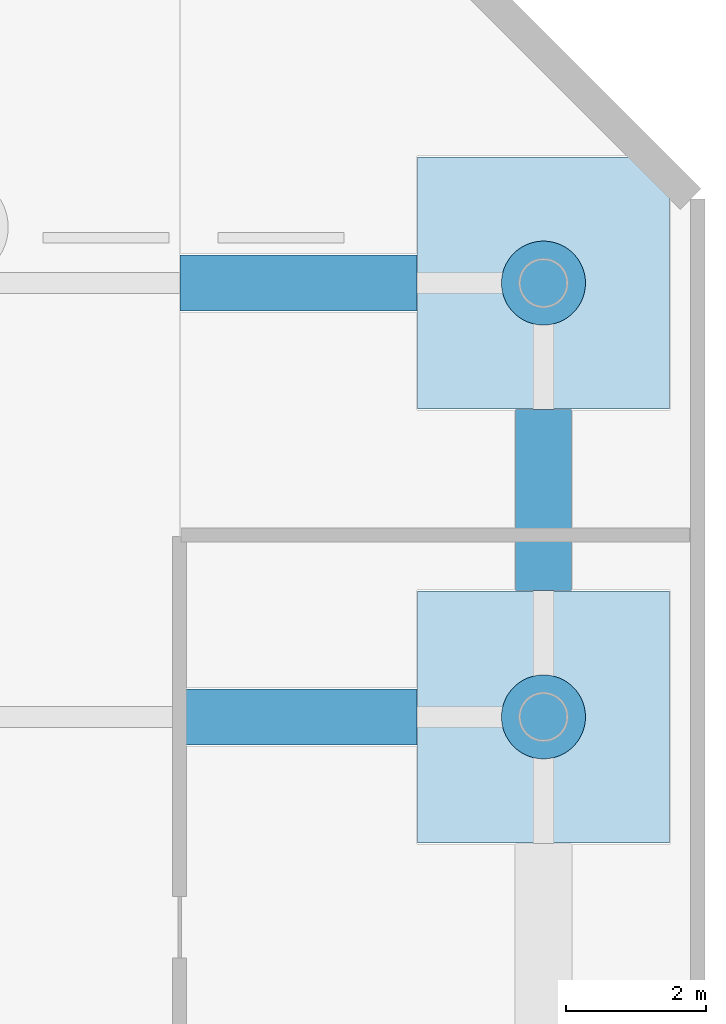
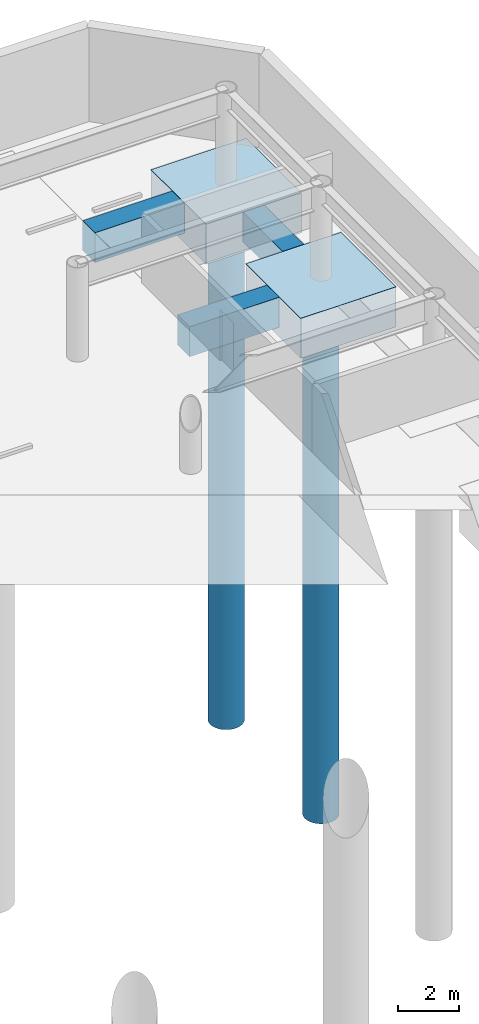
# One storey, part 2 of 19: 5 footings, 2 piles.
"""IFC4 building model written with IfcOpenShell, lengths in metres."""

from ifc_helpers import new_model, si_unit, direction, frame, origin, origin_2d, place, context, subcontext, project, spatial, rectangle, circle, extrude, material, material_profile, profile_set, type_object, element, save


model = new_model("IFC4")

# Units and contexts
model_context = context("Model", 3, precision=1e-05, world=origin(), true_north=direction((0.0, 1.0)))
body_context = subcontext(model_context, "Body", "Model", "MODEL_VIEW")
ifc_project = project(units=[si_unit("LENGTHUNIT", "METRE"), si_unit("AREAUNIT", "SQUARE_METRE"), si_unit("VOLUMEUNIT", "CUBIC_METRE"), si_unit("PLANEANGLEUNIT", "RADIAN"), si_unit("MASSUNIT", "GRAM", prefix="KILO")], contexts=[model_context])

# Site, building, storey
site_placement = place(None, origin())
site = spatial("IfcSite", under=ifc_project, at=site_placement, CompositionType="ELEMENT")
building_placement = place(site_placement, origin())
building = spatial("IfcBuilding", under=site, at=building_placement, Name="Zarrinselat Tower", CompositionType="ELEMENT")
storey_placement = place(building_placement, frame((0.0, 0.0, -8.159912109375)))
storey = spatial("IfcBuildingStorey", under=building, at=storey_placement, Name="B02", CompositionType="ELEMENT", Elevation=-8.159912109375)

# Footings
ifc_material_1 = material(Name="Concrete C40/50", Category="concrete")
footing_type_1 = type_object("IfcFootingType", Name="FTG-CAP-3600", PredefinedType="PILE_CAP", material=ifc_material_1)
for number, where, z_axis, x_axis, name in (
    (1, (77.199951171875, 40.60009765625, -1.60009765625), (0.0, 0.0, 1.0), (1.0, 0.0, 0.0), "Podium Pile Cap E11"),
    (2, (77.199951171875, 46.800048828125, -1.60009765625), (0.0, 0.0, 1.0), (1.0, 0.0, 0.0), "Podium Pile Cap E12"),
):
    element("IfcFooting", number, at=place(storey_placement, frame(where, z_axis=z_axis, x_axis=x_axis)), inside=storey, type_object=footing_type_1, Name=name, PredefinedType="PILE_CAP", context=body_context, shape_type="SweptSolid", body=[
        extrude(rectangle(XDim=3.60009765625, YDim=3.60009765625, at=origin_2d()), origin(), (0.0, 0.0, 1.0), 1.60009765625),
    ])
ifc_material_2 = material(Name="Concrete C40/50", Category="concrete")
ifc_material_profile_1 = material_profile(ifc_material_2, rectangle(XDim=0.800048828125, YDim=1.199951171875, at=origin_2d()), Name="RC GB 800x1200")
ifc_profile_set_1 = profile_set([ifc_material_profile_1], Name="Concrete C40/50")
footing_type_2 = type_object("IfcFootingType", Name="FTG-GB-800", PredefinedType="FOOTING_BEAM", material=ifc_profile_set_1)
for number, where, z_axis, x_axis, name in (
    (3, (72.006103515625, 40.60009765625, -0.60009765625), (1.0, 0.0, 0.0), (0.0, 1.0, 0.0), "Foundation Tie Beam E11"),
    (4, (72.006103515625, 46.800048828125, -0.60009765625), (1.0, 0.0, 0.0), (0.0, 1.0, 0.0), "Foundation Tie Beam E12"),
):
    element("IfcFooting", number, at=place(storey_placement, frame(where, z_axis=z_axis, x_axis=x_axis)), inside=storey, type_object=footing_type_2, Name=name, PredefinedType="FOOTING_BEAM", context=body_context, shape_type="SweptSolid", body=[
        extrude(rectangle(XDim=0.800048828125, YDim=1.199951171875, at=origin_2d()), origin(), (0.0, 0.0, 1.0), 3.387939453125),
    ])
footing_placement = place(storey_placement, frame((77.199951171875, 42.406005859375, -0.60009765625), z_axis=(0.0, 1.0, 0.0), x_axis=(-1.0, 0.0, 0.0)))
element("IfcFooting", 5, at=footing_placement, inside=storey, type_object=footing_type_2, Name="Perimeter Ground Beam E 40", PredefinedType="FOOTING_BEAM", context=body_context, shape_type="SweptSolid", body=[
    extrude(rectangle(XDim=0.800048828125, YDim=1.199951171875, at=origin_2d()), origin(), (0.0, 0.0, 1.0), 2.587890625),
])

# Piles
ifc_material_3 = material(Name="Concrete C40/50", Category="concrete")
ifc_material_profile_2 = material_profile(ifc_material_3, circle(Radius=0.60009765625, at=origin_2d()), Name="BORED PILE D1200")
ifc_profile_set_2 = profile_set([ifc_material_profile_2], Name="Concrete C40/50")
pile_type = type_object("IfcPileType", Name="PILE-D1200", PredefinedType="BORED", material=ifc_profile_set_2)
for number, where, z_axis, x_axis, name in (
    (6, (77.199951171875, 40.60009765625, -1.5), (0.0, 0.0, -1.0), (1.0, 0.0, 0.0), "Podium Cap Bored Pile E11"),
    (7, (77.199951171875, 46.800048828125, -1.5), (0.0, 0.0, -1.0), (1.0, 0.0, 0.0), "Podium Cap Bored Pile E12"),
):
    element("IfcPile", number, at=place(storey_placement, frame(where, z_axis=z_axis, x_axis=x_axis)), inside=storey, type_object=pile_type, Name=name, PredefinedType="BORED", context=body_context, shape_type="SweptSolid", body=[
        extrude(circle(Radius=0.60009765625, at=origin_2d()), origin(), (0.0, 0.0, 1.0), 20.0),
    ])

save(model, "model.ifc")
